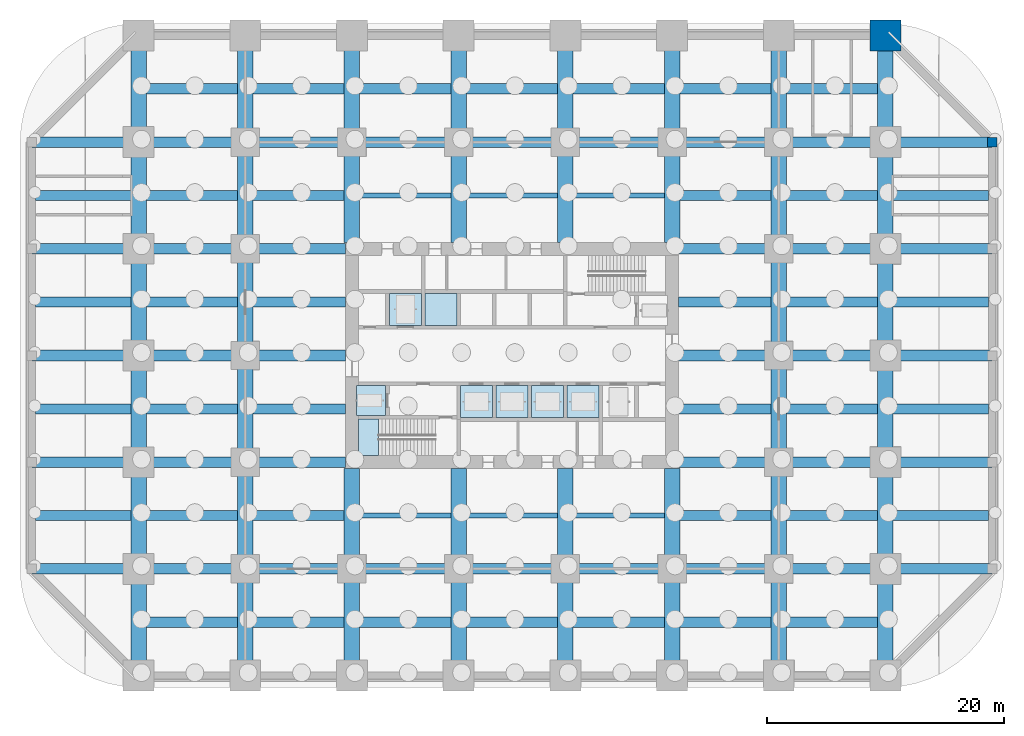
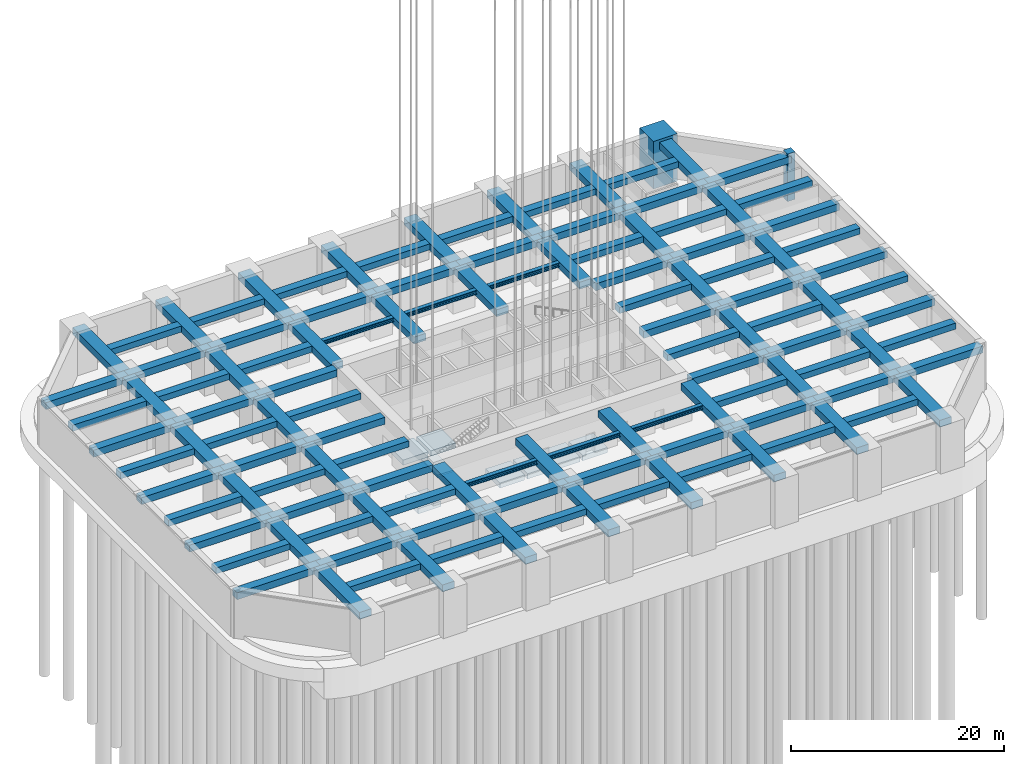
# One storey, part 2 of 24: 120 beams, 8 slabs, 2 columns, 1 element without a shape of its own.
"""IFC4 building model written with IfcOpenShell, lengths in metres."""

from ifc_helpers import new_model, si_unit, direction, frame, origin, origin_2d, place, context, subcontext, project, spatial, polyline, rectangle, i_section, outline, extrude, material, layer, layer_set, material_profile, profile_set, type_object, element, aggregate, save


model = new_model("IFC4")

# Units and contexts
model_context = context("Model", 3, precision=1e-05, world=origin(), true_north=direction((0.0, 1.0)))
body_context = subcontext(model_context, "Body", "Model", "MODEL_VIEW")
ifc_project = project(units=[si_unit("LENGTHUNIT", "METRE"), si_unit("AREAUNIT", "SQUARE_METRE"), si_unit("VOLUMEUNIT", "CUBIC_METRE"), si_unit("PLANEANGLEUNIT", "RADIAN"), si_unit("MASSUNIT", "GRAM", prefix="KILO")], contexts=[model_context])

# Site, building, storey
site_placement = place(None, origin())
site = spatial("IfcSite", under=ifc_project, at=site_placement, CompositionType="ELEMENT")
building_placement = place(site_placement, origin())
building = spatial("IfcBuilding", under=site, at=building_placement, Name="Zorevar Civic Tower", CompositionType="ELEMENT")
storey_placement = place(building_placement, frame((0.0, 0.0, -5.0)))
storey = spatial("IfcBuildingStorey", under=building, at=storey_placement, Name="B1", CompositionType="ELEMENT", Elevation=-5.0)

# Columns
ifc_material_1 = material(Name="Concrete C50/60", Category="concrete")
ifc_material_profile_1 = material_profile(ifc_material_1, rectangle(XDim=2.60009765625, YDim=2.60009765625, at=origin_2d()), Name="RC 2600x2600")
ifc_profile_set_1 = profile_set([ifc_material_profile_1], Name="Concrete C50/60")
column_type_1 = type_object("IfcColumnType", Name="Column RC 2600x2600", PredefinedType="COLUMN", material=ifc_profile_set_1)
column_1_placement = place(storey_placement, frame((63.0, 54.0, -0.449951171875), z_axis=(0.0, 0.0, 1.0), x_axis=(1.0, 0.0, 0.0)))
element("IfcColumn", 1, at=column_1_placement, inside=storey, type_object=column_type_1, Name="Column 9G B1", PredefinedType="COLUMN", context=body_context, shape_type="SweptSolid", body=[
    extrude(rectangle(XDim=2.60009765625, YDim=2.60009765625, at=origin_2d()), origin(), (0.0, 0.0, 1.0), 5.449951171875),
])
ifc_material_2 = material(Name="Concrete C50/60", Category="concrete")
ifc_material_profile_2 = material_profile(ifc_material_2, rectangle(XDim=0.800048828125, YDim=0.800048828125, at=origin_2d()), Name="RC 800x800")
ifc_profile_set_2 = profile_set([ifc_material_profile_2], Name="Concrete C50/60")
column_type_2 = type_object("IfcColumnType", Name="Column RC 800x800", PredefinedType="COLUMN", material=ifc_profile_set_2)
column_2_placement = place(storey_placement, frame((72.0, 45.0, -0.449951171875), z_axis=(0.0, 0.0, 1.0), x_axis=(1.0, 0.0, 0.0)))
element("IfcColumn", 2, at=column_2_placement, inside=storey, type_object=column_type_2, Name="Column 10F B1", PredefinedType="COLUMN", context=body_context, shape_type="SweptSolid", body=[
    extrude(rectangle(XDim=0.800048828125, YDim=0.800048828125, at=origin_2d()), origin(), (0.0, 0.0, 1.0), 5.449951171875),
])

# Beams
ifc_material_3 = material(Name="Concrete C50/60", Category="concrete")
ifc_material_profile_3 = material_profile(ifc_material_3, rectangle(XDim=1.300048828125, YDim=0.800048828125, at=origin_2d()), Name="RC 1300x800")
ifc_profile_set_3 = profile_set([ifc_material_profile_3], Name="Concrete C50/60")
beam_type_1 = type_object("IfcBeamType", Name="Beam RC 1300x800", PredefinedType="BEAM", material=ifc_profile_set_3)
for number, where, z_axis, x_axis, name in (
    (3, (0.0, 0.0, 4.300048828125), (0.0, 1.0, 0.0), (-1.0, 0.0, 0.0), "Girder L00"),
    (4, (0.0, 9.0, 4.300048828125), (0.0, 1.0, 0.0), (-1.0, 0.0, 0.0), "Girder L00"),
    (5, (0.0, 18.0, 4.300048828125), (0.0, 1.0, 0.0), (-1.0, 0.0, 0.0), "Girder L00"),
    (6, (0.0, 27.0, 4.300048828125), (0.0, 1.0, 0.0), (-1.0, 0.0, 0.0), "Girder L00"),
    (7, (0.0, 36.0, 4.300048828125), (0.0, 1.0, 0.0), (-1.0, 0.0, 0.0), "Girder L00"),
    (8, (0.0, 45.0, 4.300048828125), (0.0, 1.0, 0.0), (-1.0, 0.0, 0.0), "Girder L00"),
    (9, (9.0, 0.0, 4.300048828125), (0.0, 1.0, 0.0), (-1.0, 0.0, 0.0), "Girder L00"),
    (10, (9.0, 9.0, 4.300048828125), (0.0, 1.0, 0.0), (-1.0, 0.0, 0.0), "Girder L00"),
    (11, (9.0, 18.0, 4.300048828125), (0.0, 1.0, 0.0), (-1.0, 0.0, 0.0), "Girder L00"),
    (12, (9.0, 27.0, 4.300048828125), (0.0, 1.0, 0.0), (-1.0, 0.0, 0.0), "Girder L00"),
    (13, (9.0, 36.0, 4.300048828125), (0.0, 1.0, 0.0), (-1.0, 0.0, 0.0), "Girder L00"),
    (14, (9.0, 45.0, 4.300048828125), (0.0, 1.0, 0.0), (-1.0, 0.0, 0.0), "Girder L00"),
    (15, (18.0, 0.0, 4.300048828125), (0.0, 1.0, 0.0), (-1.0, 0.0, 0.0), "Girder L00"),
):
    element("IfcBeam", number, at=place(storey_placement, frame(where, z_axis=z_axis, x_axis=x_axis)), inside=storey, type_object=beam_type_1, Name=name, PredefinedType="BEAM", context=body_context, shape_type="SweptSolid", body=[
        extrude(rectangle(XDim=1.300048828125, YDim=0.800048828125, at=origin_2d()), origin(), (0.0, 0.0, 1.0), 9.0),
    ])
for number, where, z_axis, x_axis, name in (
    (16, (18.0, 9.0, 4.300048828125), (0.0, 1.0, 0.0), (-1.0, 0.0, 0.0), "Girder L00"),
    (17, (18.0, 36.550048828125, 4.300048828125), (0.0, 1.0, 0.0), (-1.0, 0.0, 0.0), "Girder L00"),
):
    element("IfcBeam", number, at=place(storey_placement, frame(where, z_axis=z_axis, x_axis=x_axis)), inside=storey, type_object=beam_type_1, Name=name, PredefinedType="BEAM", context=body_context, shape_type="SweptSolid", body=[
        extrude(rectangle(XDim=1.300048828125, YDim=0.800048828125, at=origin_2d()), origin(), (0.0, 0.0, 1.0), 8.449951171875),
    ])
for number, where, z_axis, x_axis, name in (
    (18, (18.0, 45.0, 4.300048828125), (0.0, 1.0, 0.0), (-1.0, 0.0, 0.0), "Girder L00"),
    (19, (27.0, 0.0, 4.300048828125), (0.0, 1.0, 0.0), (-1.0, 0.0, 0.0), "Girder L00"),
):
    element("IfcBeam", number, at=place(storey_placement, frame(where, z_axis=z_axis, x_axis=x_axis)), inside=storey, type_object=beam_type_1, Name=name, PredefinedType="BEAM", context=body_context, shape_type="SweptSolid", body=[
        extrude(rectangle(XDim=1.300048828125, YDim=0.800048828125, at=origin_2d()), origin(), (0.0, 0.0, 1.0), 9.0),
    ])
for number, where, z_axis, x_axis, name in (
    (20, (27.0, 9.0, 4.300048828125), (0.0, 1.0, 0.0), (-1.0, 0.0, 0.0), "Girder L00"),
    (21, (27.0, 36.550048828125, 4.300048828125), (0.0, 1.0, 0.0), (-1.0, 0.0, 0.0), "Girder L00"),
):
    element("IfcBeam", number, at=place(storey_placement, frame(where, z_axis=z_axis, x_axis=x_axis)), inside=storey, type_object=beam_type_1, Name=name, PredefinedType="BEAM", context=body_context, shape_type="SweptSolid", body=[
        extrude(rectangle(XDim=1.300048828125, YDim=0.800048828125, at=origin_2d()), origin(), (0.0, 0.0, 1.0), 8.449951171875),
    ])
for number, where, z_axis, x_axis, name in (
    (22, (27.0, 45.0, 4.300048828125), (0.0, 1.0, 0.0), (-1.0, 0.0, 0.0), "Girder L00"),
    (23, (36.0, 0.0, 4.300048828125), (0.0, 1.0, 0.0), (-1.0, 0.0, 0.0), "Girder L00"),
):
    element("IfcBeam", number, at=place(storey_placement, frame(where, z_axis=z_axis, x_axis=x_axis)), inside=storey, type_object=beam_type_1, Name=name, PredefinedType="BEAM", context=body_context, shape_type="SweptSolid", body=[
        extrude(rectangle(XDim=1.300048828125, YDim=0.800048828125, at=origin_2d()), origin(), (0.0, 0.0, 1.0), 9.0),
    ])
for number, where, z_axis, x_axis, name in (
    (24, (36.0, 9.0, 4.300048828125), (0.0, 1.0, 0.0), (-1.0, 0.0, 0.0), "Girder L00"),
    (25, (36.0, 36.550048828125, 4.300048828125), (0.0, 1.0, 0.0), (-1.0, 0.0, 0.0), "Girder L00"),
):
    element("IfcBeam", number, at=place(storey_placement, frame(where, z_axis=z_axis, x_axis=x_axis)), inside=storey, type_object=beam_type_1, Name=name, PredefinedType="BEAM", context=body_context, shape_type="SweptSolid", body=[
        extrude(rectangle(XDim=1.300048828125, YDim=0.800048828125, at=origin_2d()), origin(), (0.0, 0.0, 1.0), 8.449951171875),
    ])
for number, where, z_axis, x_axis, name in (
    (26, (36.0, 45.0, 4.300048828125), (0.0, 1.0, 0.0), (-1.0, 0.0, 0.0), "Girder L00"),
    (27, (45.0, 0.0, 4.300048828125), (0.0, 1.0, 0.0), (-1.0, 0.0, 0.0), "Girder L00"),
):
    element("IfcBeam", number, at=place(storey_placement, frame(where, z_axis=z_axis, x_axis=x_axis)), inside=storey, type_object=beam_type_1, Name=name, PredefinedType="BEAM", context=body_context, shape_type="SweptSolid", body=[
        extrude(rectangle(XDim=1.300048828125, YDim=0.800048828125, at=origin_2d()), origin(), (0.0, 0.0, 1.0), 9.0),
    ])
for number, where, z_axis, x_axis, name in (
    (28, (45.0, 9.0, 4.300048828125), (0.0, 1.0, 0.0), (-1.0, 0.0, 0.0), "Girder L00"),
    (29, (45.0, 36.550048828125, 4.300048828125), (0.0, 1.0, 0.0), (-1.0, 0.0, 0.0), "Girder L00"),
):
    element("IfcBeam", number, at=place(storey_placement, frame(where, z_axis=z_axis, x_axis=x_axis)), inside=storey, type_object=beam_type_1, Name=name, PredefinedType="BEAM", context=body_context, shape_type="SweptSolid", body=[
        extrude(rectangle(XDim=1.300048828125, YDim=0.800048828125, at=origin_2d()), origin(), (0.0, 0.0, 1.0), 8.449951171875),
    ])
for number, where, z_axis, x_axis, name in (
    (30, (45.0, 45.0, 4.300048828125), (0.0, 1.0, 0.0), (-1.0, 0.0, 0.0), "Girder L00"),
    (31, (54.0, 0.0, 4.300048828125), (0.0, 1.0, 0.0), (-1.0, 0.0, 0.0), "Girder L00"),
    (32, (54.0, 9.0, 4.300048828125), (0.0, 1.0, 0.0), (-1.0, 0.0, 0.0), "Girder L00"),
    (33, (54.0, 18.0, 4.300048828125), (0.0, 1.0, 0.0), (-1.0, 0.0, 0.0), "Girder L00"),
    (34, (54.0, 27.0, 4.300048828125), (0.0, 1.0, 0.0), (-1.0, 0.0, 0.0), "Girder L00"),
    (35, (54.0, 36.0, 4.300048828125), (0.0, 1.0, 0.0), (-1.0, 0.0, 0.0), "Girder L00"),
    (36, (54.0, 45.0, 4.300048828125), (0.0, 1.0, 0.0), (-1.0, 0.0, 0.0), "Girder L00"),
    (37, (63.0, 0.0, 4.300048828125), (0.0, 1.0, 0.0), (-1.0, 0.0, 0.0), "Girder L00"),
    (38, (63.0, 9.0, 4.300048828125), (0.0, 1.0, 0.0), (-1.0, 0.0, 0.0), "Girder L00"),
    (39, (63.0, 18.0, 4.300048828125), (0.0, 1.0, 0.0), (-1.0, 0.0, 0.0), "Girder L00"),
    (40, (63.0, 27.0, 4.300048828125), (0.0, 1.0, 0.0), (-1.0, 0.0, 0.0), "Girder L00"),
    (41, (63.0, 36.0, 4.300048828125), (0.0, 1.0, 0.0), (-1.0, 0.0, 0.0), "Girder L00"),
    (42, (63.0, 45.0, 4.300048828125), (0.0, 1.0, 0.0), (-1.0, 0.0, 0.0), "Girder L00"),
):
    element("IfcBeam", number, at=place(storey_placement, frame(where, z_axis=z_axis, x_axis=x_axis)), inside=storey, type_object=beam_type_1, Name=name, PredefinedType="BEAM", context=body_context, shape_type="SweptSolid", body=[
        extrude(rectangle(XDim=1.300048828125, YDim=0.800048828125, at=origin_2d()), origin(), (0.0, 0.0, 1.0), 9.0),
    ])
ifc_material_4 = material(Name="Concrete C50/60", Category="concrete")
ifc_material_profile_4 = material_profile(ifc_material_4, rectangle(XDim=0.85009765625, YDim=0.699951171875, at=origin_2d()), Name="RC 850x700")
ifc_profile_set_4 = profile_set([ifc_material_profile_4], Name="Concrete C50/60")
beam_type_2 = type_object("IfcBeamType", Name="Beam RC 850x700", PredefinedType="BEAM", material=ifc_profile_set_4)
for number, where, z_axis, x_axis, name in (
    (43, (0.64990234375, 4.5, 4.35009765625), (1.0, 0.0, 0.0), (0.0, 1.0, 0.0), "Secondary beam L00"),
    (44, (9.64990234375, 4.5, 4.35009765625), (1.0, 0.0, 0.0), (0.0, 1.0, 0.0), "Secondary beam L00"),
    (45, (18.64990234375, 4.5, 4.35009765625), (1.0, 0.0, 0.0), (0.0, 1.0, 0.0), "Secondary beam L00"),
    (46, (27.64990234375, 4.5, 4.35009765625), (1.0, 0.0, 0.0), (0.0, 1.0, 0.0), "Secondary beam L00"),
    (47, (36.64990234375, 4.5, 4.35009765625), (1.0, 0.0, 0.0), (0.0, 1.0, 0.0), "Secondary beam L00"),
    (48, (45.64990234375, 4.5, 4.35009765625), (1.0, 0.0, 0.0), (0.0, 1.0, 0.0), "Secondary beam L00"),
    (49, (54.64990234375, 4.5, 4.35009765625), (1.0, 0.0, 0.0), (0.0, 1.0, 0.0), "Secondary beam L00"),
):
    element("IfcBeam", number, at=place(storey_placement, frame(where, z_axis=z_axis, x_axis=x_axis)), inside=storey, type_object=beam_type_2, Name=name, PredefinedType="BEAM", context=body_context, shape_type="SweptSolid", body=[
        extrude(rectangle(XDim=0.85009765625, YDim=0.699951171875, at=origin_2d()), origin(), (0.0, 0.0, 1.0), 7.7001953125),
    ])
beam_1_placement = place(storey_placement, frame((-8.675048828125, 13.5, 4.35009765625), z_axis=(1.0, 0.0, 0.0), x_axis=(0.0, 1.0, 0.0)))
element("IfcBeam", 50, at=beam_1_placement, inside=storey, type_object=beam_type_2, Name="Secondary beam L00", PredefinedType="BEAM", context=body_context, shape_type="SweptSolid", body=[
    extrude(rectangle(XDim=0.85009765625, YDim=0.699951171875, at=origin_2d()), origin(), (0.0, 0.0, 1.0), 8.025146484375),
])
for number, where, z_axis, x_axis, name in (
    (51, (0.64990234375, 13.5, 4.35009765625), (1.0, 0.0, 0.0), (0.0, 1.0, 0.0), "Secondary beam L00"),
    (52, (9.64990234375, 13.5, 4.35009765625), (1.0, 0.0, 0.0), (0.0, 1.0, 0.0), "Secondary beam L00"),
    (53, (45.64990234375, 13.5, 4.35009765625), (1.0, 0.0, 0.0), (0.0, 1.0, 0.0), "Secondary beam L00"),
    (54, (54.64990234375, 13.5, 4.35009765625), (1.0, 0.0, 0.0), (0.0, 1.0, 0.0), "Secondary beam L00"),
):
    element("IfcBeam", number, at=place(storey_placement, frame(where, z_axis=z_axis, x_axis=x_axis)), inside=storey, type_object=beam_type_2, Name=name, PredefinedType="BEAM", context=body_context, shape_type="SweptSolid", body=[
        extrude(rectangle(XDim=0.85009765625, YDim=0.699951171875, at=origin_2d()), origin(), (0.0, 0.0, 1.0), 7.7001953125),
    ])
for number, where, z_axis, x_axis, name in (
    (55, (63.64990234375, 13.5, 4.35009765625), (1.0, 0.0, 0.0), (0.0, 1.0, 0.0), "Secondary beam L00"),
    (56, (-8.675048828125, 22.5, 4.35009765625), (1.0, 0.0, 0.0), (0.0, 1.0, 0.0), "Secondary beam L00"),
):
    element("IfcBeam", number, at=place(storey_placement, frame(where, z_axis=z_axis, x_axis=x_axis)), inside=storey, type_object=beam_type_2, Name=name, PredefinedType="BEAM", context=body_context, shape_type="SweptSolid", body=[
        extrude(rectangle(XDim=0.85009765625, YDim=0.699951171875, at=origin_2d()), origin(), (0.0, 0.0, 1.0), 8.025146484375),
    ])
beam_2_placement = place(storey_placement, frame((0.64990234375, 22.5, 4.35009765625), z_axis=(1.0, 0.0, 0.0), x_axis=(0.0, 1.0, 0.0)))
element("IfcBeam", 57, at=beam_2_placement, inside=storey, type_object=beam_type_2, Name="Secondary beam L00", PredefinedType="BEAM", context=body_context, shape_type="SweptSolid", body=[
    extrude(rectangle(XDim=0.85009765625, YDim=0.699951171875, at=origin_2d()), origin(), (0.0, 0.0, 1.0), 7.7001953125),
])
for number, where, z_axis, x_axis, name in (
    (58, (9.64990234375, 22.5, 4.35009765625), (1.0, 0.0, 0.0), (0.0, 1.0, 0.0), "Secondary beam L00"),
    (59, (45.550048828125, 22.5, 4.35009765625), (1.0, 0.0, 0.0), (0.0, 1.0, 0.0), "Secondary beam L00"),
):
    element("IfcBeam", number, at=place(storey_placement, frame(where, z_axis=z_axis, x_axis=x_axis)), inside=storey, type_object=beam_type_2, Name=name, PredefinedType="BEAM", context=body_context, shape_type="SweptSolid", body=[
        extrude(rectangle(XDim=0.85009765625, YDim=0.699951171875, at=origin_2d()), origin(), (0.0, 0.0, 1.0), 7.800048828125),
    ])
beam_3_placement = place(storey_placement, frame((54.64990234375, 22.5, 4.35009765625), z_axis=(1.0, 0.0, 0.0), x_axis=(0.0, 1.0, 0.0)))
element("IfcBeam", 60, at=beam_3_placement, inside=storey, type_object=beam_type_2, Name="Secondary beam L00", PredefinedType="BEAM", context=body_context, shape_type="SweptSolid", body=[
    extrude(rectangle(XDim=0.85009765625, YDim=0.699951171875, at=origin_2d()), origin(), (0.0, 0.0, 1.0), 7.7001953125),
])
for number, where, z_axis, x_axis, name in (
    (61, (63.64990234375, 22.5, 4.35009765625), (1.0, 0.0, 0.0), (0.0, 1.0, 0.0), "Secondary beam L00"),
    (62, (-8.675048828125, 31.5, 4.35009765625), (1.0, 0.0, 0.0), (0.0, 1.0, 0.0), "Secondary beam L00"),
):
    element("IfcBeam", number, at=place(storey_placement, frame(where, z_axis=z_axis, x_axis=x_axis)), inside=storey, type_object=beam_type_2, Name=name, PredefinedType="BEAM", context=body_context, shape_type="SweptSolid", body=[
        extrude(rectangle(XDim=0.85009765625, YDim=0.699951171875, at=origin_2d()), origin(), (0.0, 0.0, 1.0), 8.025146484375),
    ])
beam_4_placement = place(storey_placement, frame((0.64990234375, 31.5, 4.35009765625), z_axis=(1.0, 0.0, 0.0), x_axis=(0.0, 1.0, 0.0)))
element("IfcBeam", 63, at=beam_4_placement, inside=storey, type_object=beam_type_2, Name="Secondary beam L00", PredefinedType="BEAM", context=body_context, shape_type="SweptSolid", body=[
    extrude(rectangle(XDim=0.85009765625, YDim=0.699951171875, at=origin_2d()), origin(), (0.0, 0.0, 1.0), 7.7001953125),
])
for number, where, z_axis, x_axis, name in (
    (64, (9.64990234375, 31.5, 4.35009765625), (1.0, 0.0, 0.0), (0.0, 1.0, 0.0), "Secondary beam L00"),
    (65, (45.550048828125, 31.5, 4.35009765625), (1.0, 0.0, 0.0), (0.0, 1.0, 0.0), "Secondary beam L00"),
):
    element("IfcBeam", number, at=place(storey_placement, frame(where, z_axis=z_axis, x_axis=x_axis)), inside=storey, type_object=beam_type_2, Name=name, PredefinedType="BEAM", context=body_context, shape_type="SweptSolid", body=[
        extrude(rectangle(XDim=0.85009765625, YDim=0.699951171875, at=origin_2d()), origin(), (0.0, 0.0, 1.0), 7.800048828125),
    ])
beam_5_placement = place(storey_placement, frame((54.64990234375, 31.5, 4.35009765625), z_axis=(1.0, 0.0, 0.0), x_axis=(0.0, 1.0, 0.0)))
element("IfcBeam", 66, at=beam_5_placement, inside=storey, type_object=beam_type_2, Name="Secondary beam L00", PredefinedType="BEAM", context=body_context, shape_type="SweptSolid", body=[
    extrude(rectangle(XDim=0.85009765625, YDim=0.699951171875, at=origin_2d()), origin(), (0.0, 0.0, 1.0), 7.7001953125),
])
for number, where, z_axis, x_axis, name in (
    (67, (63.64990234375, 31.5, 4.35009765625), (1.0, 0.0, 0.0), (0.0, 1.0, 0.0), "Secondary beam L00"),
    (68, (-8.675048828125, 40.5, 4.35009765625), (1.0, 0.0, 0.0), (0.0, 1.0, 0.0), "Secondary beam L00"),
):
    element("IfcBeam", number, at=place(storey_placement, frame(where, z_axis=z_axis, x_axis=x_axis)), inside=storey, type_object=beam_type_2, Name=name, PredefinedType="BEAM", context=body_context, shape_type="SweptSolid", body=[
        extrude(rectangle(XDim=0.85009765625, YDim=0.699951171875, at=origin_2d()), origin(), (0.0, 0.0, 1.0), 8.025146484375),
    ])
for number, where, z_axis, x_axis, name in (
    (69, (0.64990234375, 40.5, 4.35009765625), (1.0, 0.0, 0.0), (0.0, 1.0, 0.0), "Secondary beam L00"),
    (70, (9.64990234375, 40.5, 4.35009765625), (1.0, 0.0, 0.0), (0.0, 1.0, 0.0), "Secondary beam L00"),
    (71, (45.64990234375, 40.5, 4.35009765625), (1.0, 0.0, 0.0), (0.0, 1.0, 0.0), "Secondary beam L00"),
    (72, (54.64990234375, 40.5, 4.35009765625), (1.0, 0.0, 0.0), (0.0, 1.0, 0.0), "Secondary beam L00"),
):
    element("IfcBeam", number, at=place(storey_placement, frame(where, z_axis=z_axis, x_axis=x_axis)), inside=storey, type_object=beam_type_2, Name=name, PredefinedType="BEAM", context=body_context, shape_type="SweptSolid", body=[
        extrude(rectangle(XDim=0.85009765625, YDim=0.699951171875, at=origin_2d()), origin(), (0.0, 0.0, 1.0), 7.7001953125),
    ])
beam_6_placement = place(storey_placement, frame((63.64990234375, 40.5, 4.35009765625), z_axis=(1.0, 0.0, 0.0), x_axis=(0.0, 1.0, 0.0)))
element("IfcBeam", 73, at=beam_6_placement, inside=storey, type_object=beam_type_2, Name="Secondary beam L00", PredefinedType="BEAM", context=body_context, shape_type="SweptSolid", body=[
    extrude(rectangle(XDim=0.85009765625, YDim=0.699951171875, at=origin_2d()), origin(), (0.0, 0.0, 1.0), 8.025146484375),
])
for number, where, z_axis, x_axis, name in (
    (74, (0.64990234375, 49.5, 4.35009765625), (1.0, 0.0, 0.0), (0.0, 1.0, 0.0), "Secondary beam L00"),
    (75, (9.64990234375, 49.5, 4.35009765625), (1.0, 0.0, 0.0), (0.0, 1.0, 0.0), "Secondary beam L00"),
    (76, (18.64990234375, 49.5, 4.35009765625), (1.0, 0.0, 0.0), (0.0, 1.0, 0.0), "Secondary beam L00"),
    (77, (27.64990234375, 49.5, 4.35009765625), (1.0, 0.0, 0.0), (0.0, 1.0, 0.0), "Secondary beam L00"),
    (78, (36.64990234375, 49.5, 4.35009765625), (1.0, 0.0, 0.0), (0.0, 1.0, 0.0), "Secondary beam L00"),
    (79, (45.64990234375, 49.5, 4.35009765625), (1.0, 0.0, 0.0), (0.0, 1.0, 0.0), "Secondary beam L00"),
    (80, (54.64990234375, 49.5, 4.35009765625), (1.0, 0.0, 0.0), (0.0, 1.0, 0.0), "Secondary beam L00"),
):
    element("IfcBeam", number, at=place(storey_placement, frame(where, z_axis=z_axis, x_axis=x_axis)), inside=storey, type_object=beam_type_2, Name=name, PredefinedType="BEAM", context=body_context, shape_type="SweptSolid", body=[
        extrude(rectangle(XDim=0.85009765625, YDim=0.699951171875, at=origin_2d()), origin(), (0.0, 0.0, 1.0), 7.7001953125),
    ])
ifc_material_5 = material(Name="Concrete C50/60", Category="concrete")
ifc_material_profile_5 = material_profile(ifc_material_5, rectangle(XDim=0.89990234375, YDim=0.800048828125, at=origin_2d()), Name="RC 900x800")
ifc_profile_set_5 = profile_set([ifc_material_profile_5], Name="Concrete C50/60")
beam_type_3 = type_object("IfcBeamType", Name="Beam RC 900x800", PredefinedType="BEAM", material=ifc_profile_set_5)
for number, where, z_axis, x_axis, name in (
    (81, (-9.0, 9.0, 4.300048828125), (1.0, 0.0, 0.0), (0.0, 1.0, 0.0), "Girder L00"),
    (82, (0.0, 9.0, 4.300048828125), (1.0, 0.0, 0.0), (0.0, 1.0, 0.0), "Girder L00"),
    (83, (9.0, 9.0, 4.300048828125), (1.0, 0.0, 0.0), (0.0, 1.0, 0.0), "Girder L00"),
    (84, (18.0, 9.0, 4.300048828125), (1.0, 0.0, 0.0), (0.0, 1.0, 0.0), "Girder L00"),
    (85, (27.0, 9.0, 4.300048828125), (1.0, 0.0, 0.0), (0.0, 1.0, 0.0), "Girder L00"),
    (86, (36.0, 9.0, 4.300048828125), (1.0, 0.0, 0.0), (0.0, 1.0, 0.0), "Girder L00"),
    (87, (45.0, 9.0, 4.300048828125), (1.0, 0.0, 0.0), (0.0, 1.0, 0.0), "Girder L00"),
    (88, (54.0, 9.0, 4.300048828125), (1.0, 0.0, 0.0), (0.0, 1.0, 0.0), "Girder L00"),
    (89, (63.0, 9.0, 4.300048828125), (1.0, 0.0, 0.0), (0.0, 1.0, 0.0), "Girder L00"),
    (90, (-9.0, 18.0, 4.300048828125), (1.0, 0.0, 0.0), (0.0, 1.0, 0.0), "Girder L00"),
    (91, (0.0, 18.0, 4.300048828125), (1.0, 0.0, 0.0), (0.0, 1.0, 0.0), "Girder L00"),
):
    element("IfcBeam", number, at=place(storey_placement, frame(where, z_axis=z_axis, x_axis=x_axis)), inside=storey, type_object=beam_type_3, Name=name, PredefinedType="BEAM", context=body_context, shape_type="SweptSolid", body=[
        extrude(rectangle(XDim=0.89990234375, YDim=0.800048828125, at=origin_2d()), origin(), (0.0, 0.0, 1.0), 9.0),
    ])
for number, where, z_axis, x_axis, name in (
    (92, (9.0, 18.0, 4.300048828125), (1.0, 0.0, 0.0), (0.0, 1.0, 0.0), "Girder L00"),
    (93, (45.550048828125, 18.0, 4.300048828125), (1.0, 0.0, 0.0), (0.0, 1.0, 0.0), "Girder L00"),
):
    element("IfcBeam", number, at=place(storey_placement, frame(where, z_axis=z_axis, x_axis=x_axis)), inside=storey, type_object=beam_type_3, Name=name, PredefinedType="BEAM", context=body_context, shape_type="SweptSolid", body=[
        extrude(rectangle(XDim=0.89990234375, YDim=0.800048828125, at=origin_2d()), origin(), (0.0, 0.0, 1.0), 8.449951171875),
    ])
for number, where, z_axis, x_axis, name in (
    (94, (54.0, 18.0, 4.300048828125), (1.0, 0.0, 0.0), (0.0, 1.0, 0.0), "Girder L00"),
    (95, (63.0, 18.0, 4.300048828125), (1.0, 0.0, 0.0), (0.0, 1.0, 0.0), "Girder L00"),
    (96, (-9.0, 27.0, 4.300048828125), (1.0, 0.0, 0.0), (0.0, 1.0, 0.0), "Girder L00"),
    (97, (0.0, 27.0, 4.300048828125), (1.0, 0.0, 0.0), (0.0, 1.0, 0.0), "Girder L00"),
):
    element("IfcBeam", number, at=place(storey_placement, frame(where, z_axis=z_axis, x_axis=x_axis)), inside=storey, type_object=beam_type_3, Name=name, PredefinedType="BEAM", context=body_context, shape_type="SweptSolid", body=[
        extrude(rectangle(XDim=0.89990234375, YDim=0.800048828125, at=origin_2d()), origin(), (0.0, 0.0, 1.0), 9.0),
    ])
for number, where, z_axis, x_axis, name in (
    (98, (9.0, 27.0, 4.300048828125), (1.0, 0.0, 0.0), (0.0, 1.0, 0.0), "Girder L00"),
    (99, (45.550048828125, 27.0, 4.300048828125), (1.0, 0.0, 0.0), (0.0, 1.0, 0.0), "Girder L00"),
):
    element("IfcBeam", number, at=place(storey_placement, frame(where, z_axis=z_axis, x_axis=x_axis)), inside=storey, type_object=beam_type_3, Name=name, PredefinedType="BEAM", context=body_context, shape_type="SweptSolid", body=[
        extrude(rectangle(XDim=0.89990234375, YDim=0.800048828125, at=origin_2d()), origin(), (0.0, 0.0, 1.0), 8.449951171875),
    ])
for number, where, z_axis, x_axis, name in (
    (100, (54.0, 27.0, 4.300048828125), (1.0, 0.0, 0.0), (0.0, 1.0, 0.0), "Girder L00"),
    (101, (63.0, 27.0, 4.300048828125), (1.0, 0.0, 0.0), (0.0, 1.0, 0.0), "Girder L00"),
    (102, (-9.0, 36.0, 4.300048828125), (1.0, 0.0, 0.0), (0.0, 1.0, 0.0), "Girder L00"),
    (103, (0.0, 36.0, 4.300048828125), (1.0, 0.0, 0.0), (0.0, 1.0, 0.0), "Girder L00"),
):
    element("IfcBeam", number, at=place(storey_placement, frame(where, z_axis=z_axis, x_axis=x_axis)), inside=storey, type_object=beam_type_3, Name=name, PredefinedType="BEAM", context=body_context, shape_type="SweptSolid", body=[
        extrude(rectangle(XDim=0.89990234375, YDim=0.800048828125, at=origin_2d()), origin(), (0.0, 0.0, 1.0), 9.0),
    ])
for number, where, z_axis, x_axis, name in (
    (104, (9.0, 36.0, 4.300048828125), (1.0, 0.0, 0.0), (0.0, 1.0, 0.0), "Girder L00"),
    (105, (45.550048828125, 36.0, 4.300048828125), (1.0, 0.0, 0.0), (0.0, 1.0, 0.0), "Girder L00"),
):
    element("IfcBeam", number, at=place(storey_placement, frame(where, z_axis=z_axis, x_axis=x_axis)), inside=storey, type_object=beam_type_3, Name=name, PredefinedType="BEAM", context=body_context, shape_type="SweptSolid", body=[
        extrude(rectangle(XDim=0.89990234375, YDim=0.800048828125, at=origin_2d()), origin(), (0.0, 0.0, 1.0), 8.449951171875),
    ])
for number, where, z_axis, x_axis, name in (
    (106, (54.0, 36.0, 4.300048828125), (1.0, 0.0, 0.0), (0.0, 1.0, 0.0), "Girder L00"),
    (107, (63.0, 36.0, 4.300048828125), (1.0, 0.0, 0.0), (0.0, 1.0, 0.0), "Girder L00"),
    (108, (-9.0, 45.0, 4.300048828125), (1.0, 0.0, 0.0), (0.0, 1.0, 0.0), "Girder L00"),
    (109, (0.0, 45.0, 4.300048828125), (1.0, 0.0, 0.0), (0.0, 1.0, 0.0), "Girder L00"),
    (110, (9.0, 45.0, 4.300048828125), (1.0, 0.0, 0.0), (0.0, 1.0, 0.0), "Girder L00"),
    (111, (18.0, 45.0, 4.300048828125), (1.0, 0.0, 0.0), (0.0, 1.0, 0.0), "Girder L00"),
    (112, (27.0, 45.0, 4.300048828125), (1.0, 0.0, 0.0), (0.0, 1.0, 0.0), "Girder L00"),
    (113, (36.0, 45.0, 4.300048828125), (1.0, 0.0, 0.0), (0.0, 1.0, 0.0), "Girder L00"),
    (114, (45.0, 45.0, 4.300048828125), (1.0, 0.0, 0.0), (0.0, 1.0, 0.0), "Girder L00"),
    (115, (54.0, 45.0, 4.300048828125), (1.0, 0.0, 0.0), (0.0, 1.0, 0.0), "Girder L00"),
    (116, (63.0, 45.0, 4.300048828125), (1.0, 0.0, 0.0), (0.0, 1.0, 0.0), "Girder L00"),
):
    element("IfcBeam", number, at=place(storey_placement, frame(where, z_axis=z_axis, x_axis=x_axis)), inside=storey, type_object=beam_type_3, Name=name, PredefinedType="BEAM", context=body_context, shape_type="SweptSolid", body=[
        extrude(rectangle(XDim=0.89990234375, YDim=0.800048828125, at=origin_2d()), origin(), (0.0, 0.0, 1.0), 9.0),
    ])
ifc_material_6 = material(Name="Steel S460M (HISTAR 460)", Category="steel")
ifc_material_profile_6 = material_profile(ifc_material_6, i_section(OverallWidth=0.431884765625, OverallDepth=0.498046875, WebThickness=0.0556640625, FlangeThickness=0.0888671875, FilletRadius=0.014892578125, at=origin_2d()), Name="HD 400x744")
ifc_profile_set_6 = profile_set([ifc_material_profile_6], Name="Steel S460M (HISTAR 460)")
beam_type_4 = type_object("IfcBeamType", Name="Core bay beam HD 400x744", PredefinedType="BEAM", material=ifc_profile_set_6)
for number, where, z_axis, x_axis, name in (
    (117, (18.64990234375, 13.5, 4.450927734375), (1.0, 0.0, 0.0), (0.0, 1.0, 0.0), "Secondary beam L00"),
    (118, (27.64990234375, 13.5, 4.450927734375), (1.0, 0.0, 0.0), (0.0, 1.0, 0.0), "Secondary beam L00"),
    (119, (36.64990234375, 13.5, 4.450927734375), (1.0, 0.0, 0.0), (0.0, 1.0, 0.0), "Secondary beam L00"),
    (120, (18.64990234375, 40.5, 4.450927734375), (1.0, 0.0, 0.0), (0.0, 1.0, 0.0), "Secondary beam L00"),
    (121, (27.64990234375, 40.5, 4.450927734375), (1.0, 0.0, 0.0), (0.0, 1.0, 0.0), "Secondary beam L00"),
    (122, (36.64990234375, 40.5, 4.450927734375), (1.0, 0.0, 0.0), (0.0, 1.0, 0.0), "Secondary beam L00"),
):
    element("IfcBeam", number, at=place(storey_placement, frame(where, z_axis=z_axis, x_axis=x_axis)), inside=storey, type_object=beam_type_4, Name=name, PredefinedType="BEAM", context=body_context, shape_type="SweptSolid", body=[
        extrude(i_section(OverallWidth=0.431884765625, OverallDepth=0.498046875, WebThickness=0.0556640625, FlangeThickness=0.0888671875, FilletRadius=0.014892578125, at=origin_2d()), origin(), (0.0, 0.0, 1.0), 7.7001953125),
    ])

# Slabs
ifc_material_7 = material(Name="Concrete C35/45", Category="concrete")
ifc_layer_1 = layer(ifc_material_7, 0.60009765625)
ifc_layer_set_1 = layer_set([ifc_layer_1], Name="Lift pit slab 600")
slab_type_1 = type_object("IfcSlabType", Name="Lift pit slab 600", PredefinedType="BASESLAB", material=ifc_layer_set_1)
slab_1_placement = place(storey_placement, frame((0.0, 0.0, -3.949951171875)))
element("IfcSlab", 123, at=slab_1_placement, inside=storey, type_object=slab_type_1, Name="Lift pit slab", PredefinedType="BASESLAB", context=body_context, shape_type="SweptSolid", body=[
    extrude(outline(polyline([(18.39990234375, 21.949951171875), (20.85009765625, 21.949951171875), (20.85009765625, 24.449951171875), (18.39990234375, 24.449951171875), (18.39990234375, 21.949951171875)])), origin(), (0.0, 0.0, 1.0), 0.599853515625),
])
slab_2_placement = place(storey_placement, frame((0.0, 0.0, -3.949951171875)))
element("IfcSlab", 124, at=slab_2_placement, inside=storey, type_object=slab_type_1, Name="Lift pit slab", PredefinedType="BASESLAB", context=body_context, shape_type="SweptSolid", body=[
    extrude(outline(polyline([(27.14990234375, 21.75), (29.85009765625, 21.75), (29.85009765625, 24.449951171875), (27.14990234375, 24.449951171875), (27.14990234375, 21.75)])), origin(), (0.0, 0.0, 1.0), 0.599853515625),
])
slab_3_placement = place(storey_placement, frame((0.0, 0.0, -3.949951171875)))
element("IfcSlab", 125, at=slab_3_placement, inside=storey, type_object=slab_type_1, Name="Lift pit slab", PredefinedType="BASESLAB", context=body_context, shape_type="SweptSolid", body=[
    extrude(outline(polyline([(30.14990234375, 21.75), (32.85009765625, 21.75), (32.85009765625, 24.449951171875), (30.14990234375, 24.449951171875), (30.14990234375, 21.75)])), origin(), (0.0, 0.0, 1.0), 0.599853515625),
])
slab_4_placement = place(storey_placement, frame((0.0, 0.0, -3.949951171875)))
element("IfcSlab", 126, at=slab_4_placement, inside=storey, type_object=slab_type_1, Name="Lift pit slab", PredefinedType="BASESLAB", context=body_context, shape_type="SweptSolid", body=[
    extrude(outline(polyline([(33.14990234375, 21.75), (35.85009765625, 21.75), (35.85009765625, 24.449951171875), (33.14990234375, 24.449951171875), (33.14990234375, 21.75)])), origin(), (0.0, 0.0, 1.0), 0.599853515625),
])
slab_5_placement = place(storey_placement, frame((0.0, 0.0, -3.949951171875)))
element("IfcSlab", 127, at=slab_5_placement, inside=storey, type_object=slab_type_1, Name="Lift pit slab", PredefinedType="BASESLAB", context=body_context, shape_type="SweptSolid", body=[
    extrude(outline(polyline([(36.14990234375, 21.75), (38.85009765625, 21.75), (38.85009765625, 24.449951171875), (36.14990234375, 24.449951171875), (36.14990234375, 21.75)])), origin(), (0.0, 0.0, 1.0), 0.599853515625),
])
slab_6_placement = place(storey_placement, frame((0.0, 0.0, -3.949951171875)))
element("IfcSlab", 128, at=slab_6_placement, inside=storey, type_object=slab_type_1, Name="Lift pit slab", PredefinedType="BASESLAB", context=body_context, shape_type="SweptSolid", body=[
    extrude(outline(polyline([(24.14990234375, 29.550048828125), (26.85009765625, 29.550048828125), (26.85009765625, 32.25), (24.14990234375, 32.25), (24.14990234375, 29.550048828125)])), origin(), (0.0, 0.0, 1.0), 0.599853515625),
])
slab_7_placement = place(storey_placement, frame((0.0, 0.0, -3.949951171875)))
element("IfcSlab", 129, at=slab_7_placement, inside=storey, type_object=slab_type_1, Name="Lift pit slab", PredefinedType="BASESLAB", context=body_context, shape_type="SweptSolid", body=[
    extrude(outline(polyline([(21.14990234375, 29.550048828125), (23.85009765625, 29.550048828125), (23.85009765625, 32.25), (21.14990234375, 32.25), (21.14990234375, 29.550048828125)])), origin(), (0.0, 0.0, 1.0), 0.599853515625),
])

# Stair, slab
ifc_material_8 = material(Name="Precast concrete C40/50", Category="concrete")
stair_type = type_object("IfcStairType", Name="Stair ST 34R", PredefinedType="HALF_TURN_STAIR", material=ifc_material_8)
stair_placement = place(storey_placement, origin())
stair = element("IfcStair", 130, at=stair_placement, inside=storey, type_object=stair_type, Name="Stair ST1 B1", PredefinedType="HALF_TURN_STAIR")
ifc_material_9 = material(Name="Concrete C40/50", Category="concrete")
ifc_layer_2 = layer(ifc_material_9, 0.199951171875)
ifc_layer_set_2 = layer_set([ifc_layer_2], Name="Stair landing 200")
slab_type_2 = type_object("IfcSlabType", Name="Stair landing 200", PredefinedType="LANDING", material=ifc_layer_set_2)
slab_8_placement = place(storey_placement, frame((0.0, 0.0, 2.300048828125)))
slab_8 = element("IfcSlab", 131, at=slab_8_placement, type_object=slab_type_2, Name="ST1 landing 1", PredefinedType="LANDING", context=body_context, shape_type="SweptSolid", body=[
    extrude(outline(polyline([(18.550048828125, 18.550048828125), (20.25, 18.550048828125), (20.25, 21.64990234375), (18.550048828125, 21.64990234375), (18.550048828125, 18.550048828125)])), origin(), (0.0, 0.0, 1.0), 0.199951171875),
])
aggregate(stair, [slab_8])

save(model, "model.ifc")
